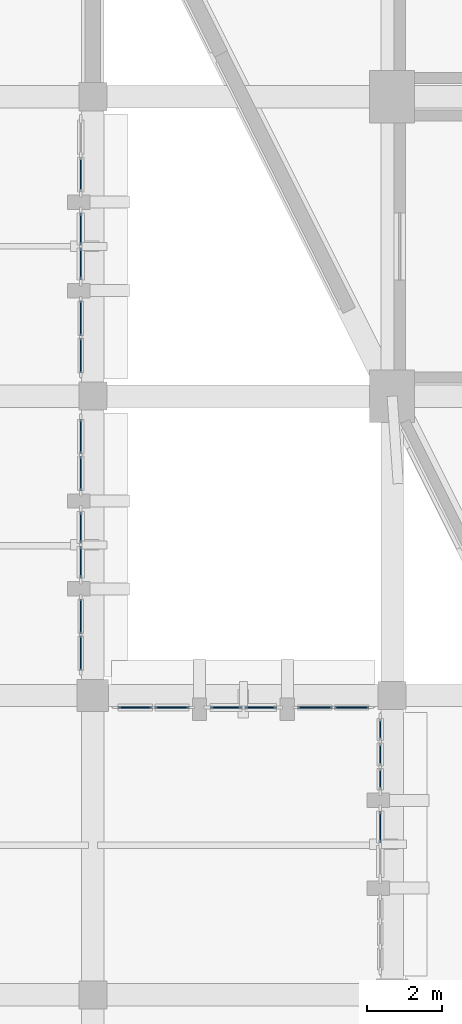
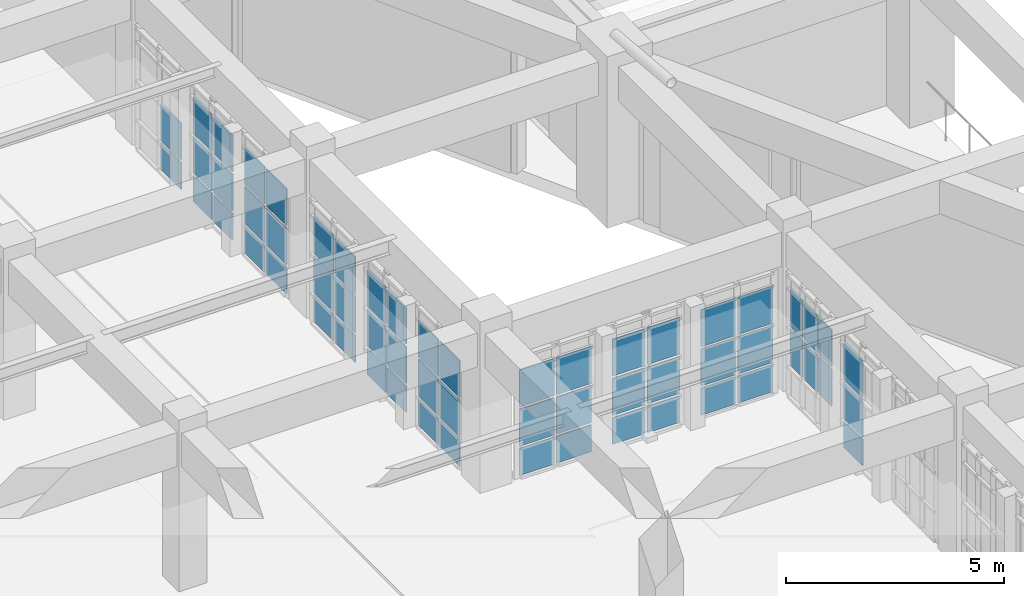
# One storey, part 92 of 155: 59 plates, 11 elements without a shape of their own.
"""IFC4 building model written with IfcOpenShell, lengths in metres."""

from ifc_helpers import new_model, si_unit, direction, frame, origin, origin_2d, place, context, subcontext, project, spatial, rectangle, extrude, material, layer, layer_set, type_object, element, aggregate, save


model = new_model("IFC4")

# Units and contexts
model_context = context("Model", 3, precision=1e-05, world=origin(), true_north=direction((0.0, 1.0)))
body_context = subcontext(model_context, "Body", "Model", "MODEL_VIEW")
ifc_project = project(units=[si_unit("LENGTHUNIT", "METRE"), si_unit("AREAUNIT", "SQUARE_METRE"), si_unit("VOLUMEUNIT", "CUBIC_METRE"), si_unit("PLANEANGLEUNIT", "RADIAN"), si_unit("MASSUNIT", "GRAM", prefix="KILO")], contexts=[model_context])

# Site, building, storey
site_placement = place(None, origin())
site = spatial("IfcSite", under=ifc_project, at=site_placement, CompositionType="ELEMENT")
building_placement = place(site_placement, origin())
building = spatial("IfcBuilding", under=site, at=building_placement, Name="Tazarka Park Arena", CompositionType="ELEMENT")
storey_placement = place(building_placement, frame((0.0, 0.0, 5.39990234375)))
storey = spatial("IfcBuildingStorey", under=building, at=storey_placement, Name="L01", CompositionType="ELEMENT", Elevation=5.39990234375)

# Curtain wall, plates
ifc_material_1 = material(Name="Aluminium and low-e glass", Category="aluminium")
ifc_layer_1 = layer(ifc_material_1, 0.179931640625, Name="Aluminium and low-e glass")
ifc_layer_set_1 = layer_set([ifc_layer_1], Name="Aluminium and low-e glass")
curtain_wall_type_1 = type_object("IfcCurtainWallType", Name="CW-12", PredefinedType="NOTDEFINED", material=ifc_layer_set_1)
curtain_wall_1_placement = place(storey_placement, origin())
curtain_wall_1 = element("IfcCurtainWall", 1, at=curtain_wall_1_placement, inside=storey, type_object=curtain_wall_type_1, Name="Curtain Wall CWA-L01-102", PredefinedType="NOTDEFINED")
ifc_material_2 = material(Name="Double low-e insulated glazing", Category="glass")
ifc_layer_2 = layer(ifc_material_2, 0.028076171875, Name="Double low-e insulated glazing")
ifc_layer_set_2 = layer_set([ifc_layer_2], Name="Double low-e insulated glazing")
plate_type_1 = type_object("IfcPlateType", Name="CWP-01", PredefinedType="CURTAIN_PANEL", material=ifc_layer_set_2)
plate_1_placement = place(storey_placement, frame((45.933837890625, 39.679931640625, 0.065185546875), z_axis=(0.0, 0.0, 1.0), x_axis=(1.0, 0.0, 0.0)))
plate_1 = element("IfcPlate", 2, at=plate_1_placement, type_object=plate_type_1, Name="CW-12 panel 1.1", PredefinedType="CURTAIN_PANEL", context=body_context, shape_type="SweptSolid", body=[
    extrude(rectangle(XDim=0.9208984375, YDim=0.028076171875, at=origin_2d()), origin(), (0.0, 0.0, 1.0), 0.75244140625),
])
plate_2_placement = place(storey_placement, frame((45.933837890625, 39.679931640625, 0.8828125), z_axis=(0.0, 0.0, 1.0), x_axis=(1.0, 0.0, 0.0)))
plate_2 = element("IfcPlate", 3, at=plate_2_placement, type_object=plate_type_1, Name="CW-12 panel 1.2", PredefinedType="CURTAIN_PANEL", context=body_context, shape_type="SweptSolid", body=[
    extrude(rectangle(XDim=0.9208984375, YDim=0.028076171875, at=origin_2d()), origin(), (0.0, 0.0, 1.0), 1.034912109375),
])
plate_3_placement = place(storey_placement, frame((45.933837890625, 39.679931640625, 1.982421875), z_axis=(0.0, 0.0, 1.0), x_axis=(1.0, 0.0, 0.0)))
plate_3 = element("IfcPlate", 4, at=plate_3_placement, type_object=plate_type_1, Name="CW-12 panel 1.3", PredefinedType="CURTAIN_PANEL", context=body_context, shape_type="SweptSolid", body=[
    extrude(rectangle(XDim=0.9208984375, YDim=0.028076171875, at=origin_2d()), origin(), (0.0, 0.0, 1.0), 1.034912109375),
])
plate_4_placement = place(storey_placement, frame((46.919677734375, 39.679931640625, 0.065185546875), z_axis=(0.0, 0.0, 1.0), x_axis=(1.0, 0.0, 0.0)))
plate_4 = element("IfcPlate", 5, at=plate_4_placement, type_object=plate_type_1, Name="CW-12 panel 2.1", PredefinedType="CURTAIN_PANEL", context=body_context, shape_type="SweptSolid", body=[
    extrude(rectangle(XDim=0.9208984375, YDim=0.028076171875, at=origin_2d()), origin(), (0.0, 0.0, 1.0), 0.75244140625),
])
plate_5_placement = place(storey_placement, frame((46.919677734375, 39.679931640625, 0.8828125), z_axis=(0.0, 0.0, 1.0), x_axis=(1.0, 0.0, 0.0)))
plate_5 = element("IfcPlate", 6, at=plate_5_placement, type_object=plate_type_1, Name="CW-12 panel 2.2", PredefinedType="CURTAIN_PANEL", context=body_context, shape_type="SweptSolid", body=[
    extrude(rectangle(XDim=0.9208984375, YDim=0.028076171875, at=origin_2d()), origin(), (0.0, 0.0, 1.0), 1.034912109375),
])
plate_6_placement = place(storey_placement, frame((46.919677734375, 39.679931640625, 1.982421875), z_axis=(0.0, 0.0, 1.0), x_axis=(1.0, 0.0, 0.0)))
plate_6 = element("IfcPlate", 7, at=plate_6_placement, type_object=plate_type_1, Name="CW-12 panel 2.3", PredefinedType="CURTAIN_PANEL", context=body_context, shape_type="SweptSolid", body=[
    extrude(rectangle(XDim=0.9208984375, YDim=0.028076171875, at=origin_2d()), origin(), (0.0, 0.0, 1.0), 1.034912109375),
])
aggregate(curtain_wall_1, [plate_1, plate_2, plate_3, plate_4, plate_5, plate_6])

ifc_material_3 = material(Name="Aluminium and low-e glass", Category="aluminium")
ifc_layer_3 = layer(ifc_material_3, 0.179931640625, Name="Aluminium and low-e glass")
ifc_layer_set_3 = layer_set([ifc_layer_3], Name="Aluminium and low-e glass")
curtain_wall_type_2 = type_object("IfcCurtainWallType", Name="CW-15", PredefinedType="NOTDEFINED", material=ifc_layer_set_3)
curtain_wall_2_placement = place(storey_placement, origin())
curtain_wall_2 = element("IfcCurtainWall", 8, at=curtain_wall_2_placement, inside=storey, type_object=curtain_wall_type_2, Name="Curtain Wall CWA-L01-105", PredefinedType="NOTDEFINED")
plate_7_placement = place(storey_placement, frame((39.679931640625, 42.1162109375, 0.065185546875), z_axis=(0.0, 0.0, 1.0), x_axis=(0.0, -1.0, 0.0)))
plate_7 = element("IfcPlate", 9, at=plate_7_placement, type_object=plate_type_1, Name="CW-15 panel 1.1", PredefinedType="CURTAIN_PANEL", context=body_context, shape_type="SweptSolid", body=[
    extrude(rectangle(XDim=0.9208984375, YDim=0.028076171875, at=origin_2d()), origin(), (0.0, 0.0, 1.0), 0.75244140625),
])
plate_8_placement = place(storey_placement, frame((39.679931640625, 42.1162109375, 0.8828125), z_axis=(0.0, 0.0, 1.0), x_axis=(0.0, -1.0, 0.0)))
plate_8 = element("IfcPlate", 10, at=plate_8_placement, type_object=plate_type_1, Name="CW-15 panel 1.2", PredefinedType="CURTAIN_PANEL", context=body_context, shape_type="SweptSolid", body=[
    extrude(rectangle(XDim=0.9208984375, YDim=0.028076171875, at=origin_2d()), origin(), (0.0, 0.0, 1.0), 1.034912109375),
])
plate_9_placement = place(storey_placement, frame((39.679931640625, 42.1162109375, 1.982421875), z_axis=(0.0, 0.0, 1.0), x_axis=(0.0, -1.0, 0.0)))
plate_9 = element("IfcPlate", 11, at=plate_9_placement, type_object=plate_type_1, Name="CW-15 panel 1.3", PredefinedType="CURTAIN_PANEL", context=body_context, shape_type="SweptSolid", body=[
    extrude(rectangle(XDim=0.9208984375, YDim=0.028076171875, at=origin_2d()), origin(), (0.0, 0.0, 1.0), 1.034912109375),
])
plate_10_placement = place(storey_placement, frame((39.679931640625, 41.13037109375, 0.065185546875), z_axis=(0.0, 0.0, 1.0), x_axis=(0.0, -1.0, 0.0)))
plate_10 = element("IfcPlate", 12, at=plate_10_placement, type_object=plate_type_1, Name="CW-15 panel 2.1", PredefinedType="CURTAIN_PANEL", context=body_context, shape_type="SweptSolid", body=[
    extrude(rectangle(XDim=0.9208984375, YDim=0.028076171875, at=origin_2d()), origin(), (0.0, 0.0, 1.0), 0.75244140625),
])
plate_11_placement = place(storey_placement, frame((39.679931640625, 41.13037109375, 0.8828125), z_axis=(0.0, 0.0, 1.0), x_axis=(0.0, -1.0, 0.0)))
plate_11 = element("IfcPlate", 13, at=plate_11_placement, type_object=plate_type_1, Name="CW-15 panel 2.2", PredefinedType="CURTAIN_PANEL", context=body_context, shape_type="SweptSolid", body=[
    extrude(rectangle(XDim=0.9208984375, YDim=0.028076171875, at=origin_2d()), origin(), (0.0, 0.0, 1.0), 1.034912109375),
])
plate_12_placement = place(storey_placement, frame((39.679931640625, 41.13037109375, 1.982421875), z_axis=(0.0, 0.0, 1.0), x_axis=(0.0, -1.0, 0.0)))
plate_12 = element("IfcPlate", 14, at=plate_12_placement, type_object=plate_type_1, Name="CW-15 panel 2.3", PredefinedType="CURTAIN_PANEL", context=body_context, shape_type="SweptSolid", body=[
    extrude(rectangle(XDim=0.9208984375, YDim=0.028076171875, at=origin_2d()), origin(), (0.0, 0.0, 1.0), 1.034912109375),
])
aggregate(curtain_wall_2, [plate_7, plate_8, plate_9, plate_10, plate_11, plate_12])

ifc_material_4 = material(Name="Aluminium and low-e glass", Category="aluminium")
ifc_layer_4 = layer(ifc_material_4, 0.179931640625, Name="Aluminium and low-e glass")
ifc_layer_set_4 = layer_set([ifc_layer_4], Name="Aluminium and low-e glass")
curtain_wall_type_3 = type_object("IfcCurtainWallType", Name="CW-18", PredefinedType="NOTDEFINED", material=ifc_layer_set_4)
curtain_wall_3_placement = place(storey_placement, origin())
curtain_wall_3 = element("IfcCurtainWall", 15, at=curtain_wall_3_placement, inside=storey, type_object=curtain_wall_type_3, Name="Curtain Wall CWA-L01-108", PredefinedType="NOTDEFINED")
plate_13_placement = place(storey_placement, frame((39.679931640625, 50.07861328125, 0.065185546875), z_axis=(0.0, 0.0, 1.0), x_axis=(0.0, -1.0, 0.0)))
plate_13 = element("IfcPlate", 16, at=plate_13_placement, type_object=plate_type_1, Name="CW-18 panel 1.1", PredefinedType="CURTAIN_PANEL", context=body_context, shape_type="SweptSolid", body=[
    extrude(rectangle(XDim=0.92919921875, YDim=0.028076171875, at=origin_2d()), origin(), (0.0, 0.0, 1.0), 0.75244140625),
])
plate_14_placement = place(storey_placement, frame((39.679931640625, 50.07861328125, 0.8828125), z_axis=(0.0, 0.0, 1.0), x_axis=(0.0, -1.0, 0.0)))
plate_14 = element("IfcPlate", 17, at=plate_14_placement, type_object=plate_type_1, Name="CW-18 panel 1.2", PredefinedType="CURTAIN_PANEL", context=body_context, shape_type="SweptSolid", body=[
    extrude(rectangle(XDim=0.92919921875, YDim=0.028076171875, at=origin_2d()), origin(), (0.0, 0.0, 1.0), 1.034912109375),
])
plate_15_placement = place(storey_placement, frame((39.679931640625, 50.07861328125, 1.982421875), z_axis=(0.0, 0.0, 1.0), x_axis=(0.0, -1.0, 0.0)))
plate_15 = element("IfcPlate", 18, at=plate_15_placement, type_object=plate_type_1, Name="CW-18 panel 1.3", PredefinedType="CURTAIN_PANEL", context=body_context, shape_type="SweptSolid", body=[
    extrude(rectangle(XDim=0.92919921875, YDim=0.028076171875, at=origin_2d()), origin(), (0.0, 0.0, 1.0), 1.034912109375),
])
plate_16_placement = place(storey_placement, frame((39.679931640625, 49.08447265625, 0.065185546875), z_axis=(0.0, 0.0, 1.0), x_axis=(0.0, -1.0, 0.0)))
plate_16 = element("IfcPlate", 19, at=plate_16_placement, type_object=plate_type_1, Name="CW-18 panel 2.1", PredefinedType="CURTAIN_PANEL", context=body_context, shape_type="SweptSolid", body=[
    extrude(rectangle(XDim=0.92919921875, YDim=0.028076171875, at=origin_2d()), origin(), (0.0, 0.0, 1.0), 0.75244140625),
])
plate_17_placement = place(storey_placement, frame((39.679931640625, 49.08447265625, 0.8828125), z_axis=(0.0, 0.0, 1.0), x_axis=(0.0, -1.0, 0.0)))
plate_17 = element("IfcPlate", 20, at=plate_17_placement, type_object=plate_type_1, Name="CW-18 panel 2.2", PredefinedType="CURTAIN_PANEL", context=body_context, shape_type="SweptSolid", body=[
    extrude(rectangle(XDim=0.92919921875, YDim=0.028076171875, at=origin_2d()), origin(), (0.0, 0.0, 1.0), 1.034912109375),
])
plate_18_placement = place(storey_placement, frame((39.679931640625, 49.08447265625, 1.982421875), z_axis=(0.0, 0.0, 1.0), x_axis=(0.0, -1.0, 0.0)))
plate_18 = element("IfcPlate", 21, at=plate_18_placement, type_object=plate_type_1, Name="CW-18 panel 2.3", PredefinedType="CURTAIN_PANEL", context=body_context, shape_type="SweptSolid", body=[
    extrude(rectangle(XDim=0.92919921875, YDim=0.028076171875, at=origin_2d()), origin(), (0.0, 0.0, 1.0), 1.034912109375),
])
aggregate(curtain_wall_3, [plate_13, plate_14, plate_15, plate_16, plate_17, plate_18])

ifc_material_5 = material(Name="Aluminium and low-e glass", Category="aluminium")
ifc_layer_5 = layer(ifc_material_5, 0.179931640625, Name="Aluminium and low-e glass")
ifc_layer_set_5 = layer_set([ifc_layer_5], Name="Aluminium and low-e glass")
curtain_wall_type_4 = type_object("IfcCurtainWallType", Name="CW-07", PredefinedType="NOTDEFINED", material=ifc_layer_set_5)
curtain_wall_4_placement = place(storey_placement, origin())
curtain_wall_4 = element("IfcCurtainWall", 22, at=curtain_wall_4_placement, inside=storey, type_object=curtain_wall_type_4, Name="Curtain Wall CWA-L01-097", PredefinedType="NOTDEFINED")
ifc_material_6 = material(Name="Triple acoustic solar glazing", Category="glass")
ifc_layer_6 = layer(ifc_material_6, 0.031982421875, Name="Triple acoustic solar glazing")
ifc_layer_set_6 = layer_set([ifc_layer_6], Name="Triple acoustic solar glazing")
plate_type_2 = type_object("IfcPlateType", Name="CWP-02", PredefinedType="CURTAIN_PANEL", material=ifc_layer_set_6)
plate_19_placement = place(storey_placement, frame((47.679931640625, 39.08935546875, 0.8828125), z_axis=(0.0, 0.0, 1.0), x_axis=(0.0, -1.0, 0.0)))
plate_19 = element("IfcPlate", 23, at=plate_19_placement, type_object=plate_type_2, Name="CW-07 panel 1.2", PredefinedType="CURTAIN_PANEL", context=body_context, shape_type="SweptSolid", body=[
    extrude(rectangle(XDim=0.581298828125, YDim=0.031982421875, at=origin_2d()), origin(), (0.0, 0.0, 1.0), 1.034912109375),
])
plate_20_placement = place(storey_placement, frame((47.679931640625, 39.08935546875, 1.982421875), z_axis=(0.0, 0.0, 1.0), x_axis=(0.0, -1.0, 0.0)))
plate_20 = element("IfcPlate", 24, at=plate_20_placement, type_object=plate_type_2, Name="CW-07 panel 1.3", PredefinedType="CURTAIN_PANEL", context=body_context, shape_type="SweptSolid", body=[
    extrude(rectangle(XDim=0.581298828125, YDim=0.031982421875, at=origin_2d()), origin(), (0.0, 0.0, 1.0), 1.034912109375),
])
plate_21_placement = place(storey_placement, frame((47.679931640625, 38.4267578125, 0.8828125), z_axis=(0.0, 0.0, 1.0), x_axis=(0.0, -1.0, 0.0)))
plate_21 = element("IfcPlate", 25, at=plate_21_placement, type_object=plate_type_2, Name="CW-07 panel 2.2", PredefinedType="CURTAIN_PANEL", context=body_context, shape_type="SweptSolid", body=[
    extrude(rectangle(XDim=0.614013671875, YDim=0.031982421875, at=origin_2d()), origin(), (0.0, 0.0, 1.0), 1.034912109375),
])
plate_22_placement = place(storey_placement, frame((47.679931640625, 38.4267578125, 1.982421875), z_axis=(0.0, 0.0, 1.0), x_axis=(0.0, -1.0, 0.0)))
plate_22 = element("IfcPlate", 26, at=plate_22_placement, type_object=plate_type_2, Name="CW-07 panel 2.3", PredefinedType="CURTAIN_PANEL", context=body_context, shape_type="SweptSolid", body=[
    extrude(rectangle(XDim=0.614013671875, YDim=0.031982421875, at=origin_2d()), origin(), (0.0, 0.0, 1.0), 1.034912109375),
])
plate_23_placement = place(storey_placement, frame((47.679931640625, 37.763916015625, 0.8828125), z_axis=(0.0, 0.0, 1.0), x_axis=(0.0, -1.0, 0.0)))
plate_23 = element("IfcPlate", 27, at=plate_23_placement, type_object=plate_type_2, Name="CW-07 panel 3.2", PredefinedType="CURTAIN_PANEL", context=body_context, shape_type="SweptSolid", body=[
    extrude(rectangle(XDim=0.581298828125, YDim=0.031982421875, at=origin_2d()), origin(), (0.0, 0.0, 1.0), 1.034912109375),
])
plate_24_placement = place(storey_placement, frame((47.679931640625, 37.763916015625, 1.982421875), z_axis=(0.0, 0.0, 1.0), x_axis=(0.0, -1.0, 0.0)))
plate_24 = element("IfcPlate", 28, at=plate_24_placement, type_object=plate_type_2, Name="CW-07 panel 3.3", PredefinedType="CURTAIN_PANEL", context=body_context, shape_type="SweptSolid", body=[
    extrude(rectangle(XDim=0.581298828125, YDim=0.031982421875, at=origin_2d()), origin(), (0.0, 0.0, 1.0), 1.034912109375),
])
aggregate(curtain_wall_4, [plate_19, plate_20, plate_21, plate_22, plate_23, plate_24])

ifc_material_7 = material(Name="Aluminium and low-e glass", Category="aluminium")
ifc_layer_7 = layer(ifc_material_7, 0.179931640625, Name="Aluminium and low-e glass")
ifc_layer_set_7 = layer_set([ifc_layer_7], Name="Aluminium and low-e glass")
curtain_wall_type_5 = type_object("IfcCurtainWallType", Name="CW-10", PredefinedType="NOTDEFINED", material=ifc_layer_set_7)
curtain_wall_5_placement = place(storey_placement, origin())
curtain_wall_5 = element("IfcCurtainWall", 29, at=curtain_wall_5_placement, inside=storey, type_object=curtain_wall_type_5, Name="Curtain Wall CWA-L01-100", PredefinedType="NOTDEFINED")
plate_25_placement = place(storey_placement, frame((41.13037109375, 39.679931640625, 0.065185546875), z_axis=(0.0, 0.0, 1.0), x_axis=(1.0, 0.0, 0.0)))
plate_25 = element("IfcPlate", 30, at=plate_25_placement, type_object=plate_type_2, Name="CW-10 panel 1.1", PredefinedType="CURTAIN_PANEL", context=body_context, shape_type="SweptSolid", body=[
    extrude(rectangle(XDim=0.9208984375, YDim=0.031982421875, at=origin_2d()), origin(), (0.0, 0.0, 1.0), 0.75244140625),
])
plate_26_placement = place(storey_placement, frame((41.13037109375, 39.679931640625, 0.8828125), z_axis=(0.0, 0.0, 1.0), x_axis=(1.0, 0.0, 0.0)))
plate_26 = element("IfcPlate", 31, at=plate_26_placement, type_object=plate_type_2, Name="CW-10 panel 1.2", PredefinedType="CURTAIN_PANEL", context=body_context, shape_type="SweptSolid", body=[
    extrude(rectangle(XDim=0.9208984375, YDim=0.031982421875, at=origin_2d()), origin(), (0.0, 0.0, 1.0), 1.034912109375),
])
plate_27_placement = place(storey_placement, frame((41.13037109375, 39.679931640625, 1.982421875), z_axis=(0.0, 0.0, 1.0), x_axis=(1.0, 0.0, 0.0)))
plate_27 = element("IfcPlate", 32, at=plate_27_placement, type_object=plate_type_2, Name="CW-10 panel 1.3", PredefinedType="CURTAIN_PANEL", context=body_context, shape_type="SweptSolid", body=[
    extrude(rectangle(XDim=0.9208984375, YDim=0.031982421875, at=origin_2d()), origin(), (0.0, 0.0, 1.0), 1.034912109375),
])
plate_28_placement = place(storey_placement, frame((42.1162109375, 39.679931640625, 0.065185546875), z_axis=(0.0, 0.0, 1.0), x_axis=(1.0, 0.0, 0.0)))
plate_28 = element("IfcPlate", 33, at=plate_28_placement, type_object=plate_type_2, Name="CW-10 panel 2.1", PredefinedType="CURTAIN_PANEL", context=body_context, shape_type="SweptSolid", body=[
    extrude(rectangle(XDim=0.9208984375, YDim=0.031982421875, at=origin_2d()), origin(), (0.0, 0.0, 1.0), 0.75244140625),
])
plate_29_placement = place(storey_placement, frame((42.1162109375, 39.679931640625, 0.8828125), z_axis=(0.0, 0.0, 1.0), x_axis=(1.0, 0.0, 0.0)))
plate_29 = element("IfcPlate", 34, at=plate_29_placement, type_object=plate_type_2, Name="CW-10 panel 2.2", PredefinedType="CURTAIN_PANEL", context=body_context, shape_type="SweptSolid", body=[
    extrude(rectangle(XDim=0.9208984375, YDim=0.031982421875, at=origin_2d()), origin(), (0.0, 0.0, 1.0), 1.034912109375),
])
plate_30_placement = place(storey_placement, frame((42.1162109375, 39.679931640625, 1.982421875), z_axis=(0.0, 0.0, 1.0), x_axis=(1.0, 0.0, 0.0)))
plate_30 = element("IfcPlate", 35, at=plate_30_placement, type_object=plate_type_2, Name="CW-10 panel 2.3", PredefinedType="CURTAIN_PANEL", context=body_context, shape_type="SweptSolid", body=[
    extrude(rectangle(XDim=0.9208984375, YDim=0.031982421875, at=origin_2d()), origin(), (0.0, 0.0, 1.0), 1.034912109375),
])
aggregate(curtain_wall_5, [plate_25, plate_26, plate_27, plate_28, plate_29, plate_30])

ifc_material_8 = material(Name="Aluminium and low-e glass", Category="aluminium")
ifc_layer_8 = layer(ifc_material_8, 0.179931640625, Name="Aluminium and low-e glass")
ifc_layer_set_8 = layer_set([ifc_layer_8], Name="Aluminium and low-e glass")
curtain_wall_type_6 = type_object("IfcCurtainWallType", Name="CW-13", PredefinedType="NOTDEFINED", material=ifc_layer_set_8)
curtain_wall_6_placement = place(storey_placement, origin())
curtain_wall_6 = element("IfcCurtainWall", 36, at=curtain_wall_6_placement, inside=storey, type_object=curtain_wall_type_6, Name="Curtain Wall CWA-L01-103", PredefinedType="NOTDEFINED")
plate_31_placement = place(storey_placement, frame((39.679931640625, 46.919677734375, 0.065185546875), z_axis=(0.0, 0.0, 1.0), x_axis=(0.0, -1.0, 0.0)))
plate_31 = element("IfcPlate", 37, at=plate_31_placement, type_object=plate_type_2, Name="CW-13 panel 1.1", PredefinedType="CURTAIN_PANEL", context=body_context, shape_type="SweptSolid", body=[
    extrude(rectangle(XDim=0.9208984375, YDim=0.031982421875, at=origin_2d()), origin(), (0.0, 0.0, 1.0), 0.75244140625),
])
plate_32_placement = place(storey_placement, frame((39.679931640625, 46.919677734375, 0.8828125), z_axis=(0.0, 0.0, 1.0), x_axis=(0.0, -1.0, 0.0)))
plate_32 = element("IfcPlate", 38, at=plate_32_placement, type_object=plate_type_2, Name="CW-13 panel 1.2", PredefinedType="CURTAIN_PANEL", context=body_context, shape_type="SweptSolid", body=[
    extrude(rectangle(XDim=0.9208984375, YDim=0.031982421875, at=origin_2d()), origin(), (0.0, 0.0, 1.0), 1.034912109375),
])
plate_33_placement = place(storey_placement, frame((39.679931640625, 46.919677734375, 1.982421875), z_axis=(0.0, 0.0, 1.0), x_axis=(0.0, -1.0, 0.0)))
plate_33 = element("IfcPlate", 39, at=plate_33_placement, type_object=plate_type_2, Name="CW-13 panel 1.3", PredefinedType="CURTAIN_PANEL", context=body_context, shape_type="SweptSolid", body=[
    extrude(rectangle(XDim=0.9208984375, YDim=0.031982421875, at=origin_2d()), origin(), (0.0, 0.0, 1.0), 1.034912109375),
])
plate_34_placement = place(storey_placement, frame((39.679931640625, 45.933837890625, 0.065185546875), z_axis=(0.0, 0.0, 1.0), x_axis=(0.0, -1.0, 0.0)))
plate_34 = element("IfcPlate", 40, at=plate_34_placement, type_object=plate_type_2, Name="CW-13 panel 2.1", PredefinedType="CURTAIN_PANEL", context=body_context, shape_type="SweptSolid", body=[
    extrude(rectangle(XDim=0.9208984375, YDim=0.031982421875, at=origin_2d()), origin(), (0.0, 0.0, 1.0), 0.75244140625),
])
plate_35_placement = place(storey_placement, frame((39.679931640625, 45.933837890625, 0.8828125), z_axis=(0.0, 0.0, 1.0), x_axis=(0.0, -1.0, 0.0)))
plate_35 = element("IfcPlate", 41, at=plate_35_placement, type_object=plate_type_2, Name="CW-13 panel 2.2", PredefinedType="CURTAIN_PANEL", context=body_context, shape_type="SweptSolid", body=[
    extrude(rectangle(XDim=0.9208984375, YDim=0.031982421875, at=origin_2d()), origin(), (0.0, 0.0, 1.0), 1.034912109375),
])
plate_36_placement = place(storey_placement, frame((39.679931640625, 45.933837890625, 1.982421875), z_axis=(0.0, 0.0, 1.0), x_axis=(0.0, -1.0, 0.0)))
plate_36 = element("IfcPlate", 42, at=plate_36_placement, type_object=plate_type_2, Name="CW-13 panel 2.3", PredefinedType="CURTAIN_PANEL", context=body_context, shape_type="SweptSolid", body=[
    extrude(rectangle(XDim=0.9208984375, YDim=0.031982421875, at=origin_2d()), origin(), (0.0, 0.0, 1.0), 1.034912109375),
])
aggregate(curtain_wall_6, [plate_31, plate_32, plate_33, plate_34, plate_35, plate_36])

ifc_material_9 = material(Name="Aluminium and low-e glass", Category="aluminium")
ifc_layer_9 = layer(ifc_material_9, 0.179931640625, Name="Aluminium and low-e glass")
ifc_layer_set_9 = layer_set([ifc_layer_9], Name="Aluminium and low-e glass")
curtain_wall_type_7 = type_object("IfcCurtainWallType", Name="CW-16", PredefinedType="NOTDEFINED", material=ifc_layer_set_9)
curtain_wall_7_placement = place(storey_placement, origin())
curtain_wall_7 = element("IfcCurtainWall", 43, at=curtain_wall_7_placement, inside=storey, type_object=curtain_wall_type_7, Name="Curtain Wall CWA-L01-106", PredefinedType="NOTDEFINED")
plate_37_placement = place(storey_placement, frame((39.679931640625, 53.92138671875, 0.065185546875), z_axis=(0.0, 0.0, 1.0), x_axis=(0.0, -1.0, 0.0)))
plate_37 = element("IfcPlate", 44, at=plate_37_placement, type_object=plate_type_2, Name="CW-16 panel 2.1", PredefinedType="CURTAIN_PANEL", context=body_context, shape_type="SweptSolid", body=[
    extrude(rectangle(XDim=0.92919921875, YDim=0.031982421875, at=origin_2d()), origin(), (0.0, 0.0, 1.0), 0.75244140625),
])
plate_38_placement = place(storey_placement, frame((39.679931640625, 53.92138671875, 0.8828125), z_axis=(0.0, 0.0, 1.0), x_axis=(0.0, -1.0, 0.0)))
plate_38 = element("IfcPlate", 45, at=plate_38_placement, type_object=plate_type_2, Name="CW-16 panel 2.2", PredefinedType="CURTAIN_PANEL", context=body_context, shape_type="SweptSolid", body=[
    extrude(rectangle(XDim=0.92919921875, YDim=0.031982421875, at=origin_2d()), origin(), (0.0, 0.0, 1.0), 1.034912109375),
])
aggregate(curtain_wall_7, [plate_37, plate_38])

ifc_material_10 = material(Name="Aluminium and low-e glass", Category="aluminium")
ifc_layer_10 = layer(ifc_material_10, 0.179931640625, Name="Aluminium and low-e glass")
ifc_layer_set_10 = layer_set([ifc_layer_10], Name="Aluminium and low-e glass")
curtain_wall_type_8 = type_object("IfcCurtainWallType", Name="CW-08", PredefinedType="NOTDEFINED", material=ifc_layer_set_10)
curtain_wall_8_placement = place(storey_placement, origin())
curtain_wall_8 = element("IfcCurtainWall", 46, at=curtain_wall_8_placement, inside=storey, type_object=curtain_wall_type_8, Name="Curtain Wall CWA-L01-098", PredefinedType="NOTDEFINED")
ifc_material_11 = material(Name="Insulated aluminium spandrel panel", Category="aluminium")
ifc_layer_11 = layer(ifc_material_11, 0.035888671875, Name="Insulated aluminium spandrel panel")
ifc_layer_set_11 = layer_set([ifc_layer_11], Name="Insulated aluminium spandrel panel")
plate_type_3 = type_object("IfcPlateType", Name="CWP-03", PredefinedType="CURTAIN_PANEL", material=ifc_layer_set_11)
plate_39_placement = place(storey_placement, frame((47.679931640625, 36.48779296875, 0.0751953125), z_axis=(0.0, 0.0, 1.0), x_axis=(0.0, -1.0, 0.0)))
plate_39 = element("IfcPlate", 47, at=plate_39_placement, type_object=plate_type_3, Name="CW-08 panel 1.1", PredefinedType="CURTAIN_PANEL", context=body_context, shape_type="SweptSolid", body=[
    extrude(rectangle(XDim=0.850830078125, YDim=0.035888671875, at=origin_2d()), origin(), (0.0, 0.0, 1.0), 0.737548828125),
])
plate_40_placement = place(storey_placement, frame((47.679931640625, 36.48779296875, 0.8876953125), z_axis=(0.0, 0.0, 1.0), x_axis=(0.0, -1.0, 0.0)))
plate_40 = element("IfcPlate", 48, at=plate_40_placement, type_object=plate_type_3, Name="CW-08 panel 1.2", PredefinedType="CURTAIN_PANEL", context=body_context, shape_type="SweptSolid", body=[
    extrude(rectangle(XDim=0.850830078125, YDim=0.035888671875, at=origin_2d()), origin(), (0.0, 0.0, 1.0), 1.02490234375),
])
plate_41_placement = place(storey_placement, frame((47.679931640625, 36.48779296875, 1.987548828125), z_axis=(0.0, 0.0, 1.0), x_axis=(0.0, -1.0, 0.0)))
plate_41 = element("IfcPlate", 49, at=plate_41_placement, type_object=plate_type_3, Name="CW-08 panel 1.3", PredefinedType="CURTAIN_PANEL", context=body_context, shape_type="SweptSolid", body=[
    extrude(rectangle(XDim=0.850830078125, YDim=0.035888671875, at=origin_2d()), origin(), (0.0, 0.0, 1.0), 1.02490234375),
])
aggregate(curtain_wall_8, [plate_39, plate_40, plate_41])

ifc_material_12 = material(Name="Aluminium and low-e glass", Category="aluminium")
ifc_layer_12 = layer(ifc_material_12, 0.179931640625, Name="Aluminium and low-e glass")
ifc_layer_set_12 = layer_set([ifc_layer_12], Name="Aluminium and low-e glass")
curtain_wall_type_9 = type_object("IfcCurtainWallType", Name="CW-11", PredefinedType="NOTDEFINED", material=ifc_layer_set_12)
curtain_wall_9_placement = place(storey_placement, origin())
curtain_wall_9 = element("IfcCurtainWall", 50, at=curtain_wall_9_placement, inside=storey, type_object=curtain_wall_type_9, Name="Curtain Wall CWA-L01-101", PredefinedType="NOTDEFINED")
plate_42_placement = place(storey_placement, frame((43.56201171875, 39.679931640625, 0.0751953125), z_axis=(0.0, 0.0, 1.0), x_axis=(1.0, 0.0, 0.0)))
plate_42 = element("IfcPlate", 51, at=plate_42_placement, type_object=plate_type_3, Name="CW-11 panel 1.1", PredefinedType="CURTAIN_PANEL", context=body_context, shape_type="SweptSolid", body=[
    extrude(rectangle(XDim=0.850830078125, YDim=0.035888671875, at=origin_2d()), origin(), (0.0, 0.0, 1.0), 0.737548828125),
])
plate_43_placement = place(storey_placement, frame((43.56201171875, 39.679931640625, 0.8876953125), z_axis=(0.0, 0.0, 1.0), x_axis=(1.0, 0.0, 0.0)))
plate_43 = element("IfcPlate", 52, at=plate_43_placement, type_object=plate_type_3, Name="CW-11 panel 1.2", PredefinedType="CURTAIN_PANEL", context=body_context, shape_type="SweptSolid", body=[
    extrude(rectangle(XDim=0.850830078125, YDim=0.035888671875, at=origin_2d()), origin(), (0.0, 0.0, 1.0), 1.02490234375),
])
plate_44_placement = place(storey_placement, frame((43.56201171875, 39.679931640625, 1.987548828125), z_axis=(0.0, 0.0, 1.0), x_axis=(1.0, 0.0, 0.0)))
plate_44 = element("IfcPlate", 53, at=plate_44_placement, type_object=plate_type_3, Name="CW-11 panel 1.3", PredefinedType="CURTAIN_PANEL", context=body_context, shape_type="SweptSolid", body=[
    extrude(rectangle(XDim=0.850830078125, YDim=0.035888671875, at=origin_2d()), origin(), (0.0, 0.0, 1.0), 1.02490234375),
])
plate_45_placement = place(storey_placement, frame((44.48779296875, 39.679931640625, 0.0751953125), z_axis=(0.0, 0.0, 1.0), x_axis=(1.0, 0.0, 0.0)))
plate_45 = element("IfcPlate", 54, at=plate_45_placement, type_object=plate_type_3, Name="CW-11 panel 2.1", PredefinedType="CURTAIN_PANEL", context=body_context, shape_type="SweptSolid", body=[
    extrude(rectangle(XDim=0.850830078125, YDim=0.035888671875, at=origin_2d()), origin(), (0.0, 0.0, 1.0), 0.737548828125),
])
plate_46_placement = place(storey_placement, frame((44.48779296875, 39.679931640625, 0.8876953125), z_axis=(0.0, 0.0, 1.0), x_axis=(1.0, 0.0, 0.0)))
plate_46 = element("IfcPlate", 55, at=plate_46_placement, type_object=plate_type_3, Name="CW-11 panel 2.2", PredefinedType="CURTAIN_PANEL", context=body_context, shape_type="SweptSolid", body=[
    extrude(rectangle(XDim=0.850830078125, YDim=0.035888671875, at=origin_2d()), origin(), (0.0, 0.0, 1.0), 1.02490234375),
])
plate_47_placement = place(storey_placement, frame((44.48779296875, 39.679931640625, 1.987548828125), z_axis=(0.0, 0.0, 1.0), x_axis=(1.0, 0.0, 0.0)))
plate_47 = element("IfcPlate", 56, at=plate_47_placement, type_object=plate_type_3, Name="CW-11 panel 2.3", PredefinedType="CURTAIN_PANEL", context=body_context, shape_type="SweptSolid", body=[
    extrude(rectangle(XDim=0.850830078125, YDim=0.035888671875, at=origin_2d()), origin(), (0.0, 0.0, 1.0), 1.02490234375),
])
aggregate(curtain_wall_9, [plate_42, plate_43, plate_44, plate_45, plate_46, plate_47])

ifc_material_13 = material(Name="Aluminium and low-e glass", Category="aluminium")
ifc_layer_13 = layer(ifc_material_13, 0.179931640625, Name="Aluminium and low-e glass")
ifc_layer_set_13 = layer_set([ifc_layer_13], Name="Aluminium and low-e glass")
curtain_wall_type_10 = type_object("IfcCurtainWallType", Name="CW-14", PredefinedType="NOTDEFINED", material=ifc_layer_set_13)
curtain_wall_10_placement = place(storey_placement, origin())
curtain_wall_10 = element("IfcCurtainWall", 57, at=curtain_wall_10_placement, inside=storey, type_object=curtain_wall_type_10, Name="Curtain Wall CWA-L01-104", PredefinedType="NOTDEFINED")
plate_48_placement = place(storey_placement, frame((39.679931640625, 44.48779296875, 0.0751953125), z_axis=(0.0, 0.0, 1.0), x_axis=(0.0, -1.0, 0.0)))
plate_48 = element("IfcPlate", 58, at=plate_48_placement, type_object=plate_type_3, Name="CW-14 panel 1.1", PredefinedType="CURTAIN_PANEL", context=body_context, shape_type="SweptSolid", body=[
    extrude(rectangle(XDim=0.850830078125, YDim=0.035888671875, at=origin_2d()), origin(), (0.0, 0.0, 1.0), 0.737548828125),
])
plate_49_placement = place(storey_placement, frame((39.679931640625, 44.48779296875, 0.8876953125), z_axis=(0.0, 0.0, 1.0), x_axis=(0.0, -1.0, 0.0)))
plate_49 = element("IfcPlate", 59, at=plate_49_placement, type_object=plate_type_3, Name="CW-14 panel 1.2", PredefinedType="CURTAIN_PANEL", context=body_context, shape_type="SweptSolid", body=[
    extrude(rectangle(XDim=0.850830078125, YDim=0.035888671875, at=origin_2d()), origin(), (0.0, 0.0, 1.0), 1.02490234375),
])
plate_50_placement = place(storey_placement, frame((39.679931640625, 44.48779296875, 1.987548828125), z_axis=(0.0, 0.0, 1.0), x_axis=(0.0, -1.0, 0.0)))
plate_50 = element("IfcPlate", 60, at=plate_50_placement, type_object=plate_type_3, Name="CW-14 panel 1.3", PredefinedType="CURTAIN_PANEL", context=body_context, shape_type="SweptSolid", body=[
    extrude(rectangle(XDim=0.850830078125, YDim=0.035888671875, at=origin_2d()), origin(), (0.0, 0.0, 1.0), 1.02490234375),
])
plate_51_placement = place(storey_placement, frame((39.679931640625, 43.56201171875, 0.0751953125), z_axis=(0.0, 0.0, 1.0), x_axis=(0.0, -1.0, 0.0)))
plate_51 = element("IfcPlate", 61, at=plate_51_placement, type_object=plate_type_3, Name="CW-14 panel 2.1", PredefinedType="CURTAIN_PANEL", context=body_context, shape_type="SweptSolid", body=[
    extrude(rectangle(XDim=0.850830078125, YDim=0.035888671875, at=origin_2d()), origin(), (0.0, 0.0, 1.0), 0.737548828125),
])
plate_52_placement = place(storey_placement, frame((39.679931640625, 43.56201171875, 0.8876953125), z_axis=(0.0, 0.0, 1.0), x_axis=(0.0, -1.0, 0.0)))
plate_52 = element("IfcPlate", 62, at=plate_52_placement, type_object=plate_type_3, Name="CW-14 panel 2.2", PredefinedType="CURTAIN_PANEL", context=body_context, shape_type="SweptSolid", body=[
    extrude(rectangle(XDim=0.850830078125, YDim=0.035888671875, at=origin_2d()), origin(), (0.0, 0.0, 1.0), 1.02490234375),
])
plate_53_placement = place(storey_placement, frame((39.679931640625, 43.56201171875, 1.987548828125), z_axis=(0.0, 0.0, 1.0), x_axis=(0.0, -1.0, 0.0)))
plate_53 = element("IfcPlate", 63, at=plate_53_placement, type_object=plate_type_3, Name="CW-14 panel 2.3", PredefinedType="CURTAIN_PANEL", context=body_context, shape_type="SweptSolid", body=[
    extrude(rectangle(XDim=0.850830078125, YDim=0.035888671875, at=origin_2d()), origin(), (0.0, 0.0, 1.0), 1.02490234375),
])
aggregate(curtain_wall_10, [plate_48, plate_49, plate_50, plate_51, plate_52, plate_53])

ifc_material_14 = material(Name="Aluminium and low-e glass", Category="aluminium")
ifc_layer_14 = layer(ifc_material_14, 0.179931640625, Name="Aluminium and low-e glass")
ifc_layer_set_14 = layer_set([ifc_layer_14], Name="Aluminium and low-e glass")
curtain_wall_type_11 = type_object("IfcCurtainWallType", Name="CW-17", PredefinedType="NOTDEFINED", material=ifc_layer_set_14)
curtain_wall_11_placement = place(storey_placement, origin())
curtain_wall_11 = element("IfcCurtainWall", 64, at=curtain_wall_11_placement, inside=storey, type_object=curtain_wall_type_11, Name="Curtain Wall CWA-L01-107", PredefinedType="NOTDEFINED")
plate_54_placement = place(storey_placement, frame((39.679931640625, 52.467041015625, 0.0751953125), z_axis=(0.0, 0.0, 1.0), x_axis=(0.0, -1.0, 0.0)))
plate_54 = element("IfcPlate", 65, at=plate_54_placement, type_object=plate_type_3, Name="CW-17 panel 1.1", PredefinedType="CURTAIN_PANEL", context=body_context, shape_type="SweptSolid", body=[
    extrude(rectangle(XDim=0.859130859375, YDim=0.035888671875, at=origin_2d()), origin(), (0.0, 0.0, 1.0), 0.737548828125),
])
plate_55_placement = place(storey_placement, frame((39.679931640625, 52.467041015625, 0.8876953125), z_axis=(0.0, 0.0, 1.0), x_axis=(0.0, -1.0, 0.0)))
plate_55 = element("IfcPlate", 66, at=plate_55_placement, type_object=plate_type_3, Name="CW-17 panel 1.2", PredefinedType="CURTAIN_PANEL", context=body_context, shape_type="SweptSolid", body=[
    extrude(rectangle(XDim=0.859130859375, YDim=0.035888671875, at=origin_2d()), origin(), (0.0, 0.0, 1.0), 1.02490234375),
])
plate_56_placement = place(storey_placement, frame((39.679931640625, 52.467041015625, 1.987548828125), z_axis=(0.0, 0.0, 1.0), x_axis=(0.0, -1.0, 0.0)))
plate_56 = element("IfcPlate", 67, at=plate_56_placement, type_object=plate_type_3, Name="CW-17 panel 1.3", PredefinedType="CURTAIN_PANEL", context=body_context, shape_type="SweptSolid", body=[
    extrude(rectangle(XDim=0.859130859375, YDim=0.035888671875, at=origin_2d()), origin(), (0.0, 0.0, 1.0), 1.02490234375),
])
plate_57_placement = place(storey_placement, frame((39.679931640625, 51.532958984375, 0.0751953125), z_axis=(0.0, 0.0, 1.0), x_axis=(0.0, -1.0, 0.0)))
plate_57 = element("IfcPlate", 68, at=plate_57_placement, type_object=plate_type_3, Name="CW-17 panel 2.1", PredefinedType="CURTAIN_PANEL", context=body_context, shape_type="SweptSolid", body=[
    extrude(rectangle(XDim=0.859130859375, YDim=0.035888671875, at=origin_2d()), origin(), (0.0, 0.0, 1.0), 0.737548828125),
])
plate_58_placement = place(storey_placement, frame((39.679931640625, 51.532958984375, 0.8876953125), z_axis=(0.0, 0.0, 1.0), x_axis=(0.0, -1.0, 0.0)))
plate_58 = element("IfcPlate", 69, at=plate_58_placement, type_object=plate_type_3, Name="CW-17 panel 2.2", PredefinedType="CURTAIN_PANEL", context=body_context, shape_type="SweptSolid", body=[
    extrude(rectangle(XDim=0.859130859375, YDim=0.035888671875, at=origin_2d()), origin(), (0.0, 0.0, 1.0), 1.02490234375),
])
plate_59_placement = place(storey_placement, frame((39.679931640625, 51.532958984375, 1.987548828125), z_axis=(0.0, 0.0, 1.0), x_axis=(0.0, -1.0, 0.0)))
plate_59 = element("IfcPlate", 70, at=plate_59_placement, type_object=plate_type_3, Name="CW-17 panel 2.3", PredefinedType="CURTAIN_PANEL", context=body_context, shape_type="SweptSolid", body=[
    extrude(rectangle(XDim=0.859130859375, YDim=0.035888671875, at=origin_2d()), origin(), (0.0, 0.0, 1.0), 1.02490234375),
])
aggregate(curtain_wall_11, [plate_54, plate_55, plate_56, plate_57, plate_58, plate_59])

save(model, "model.ifc")
